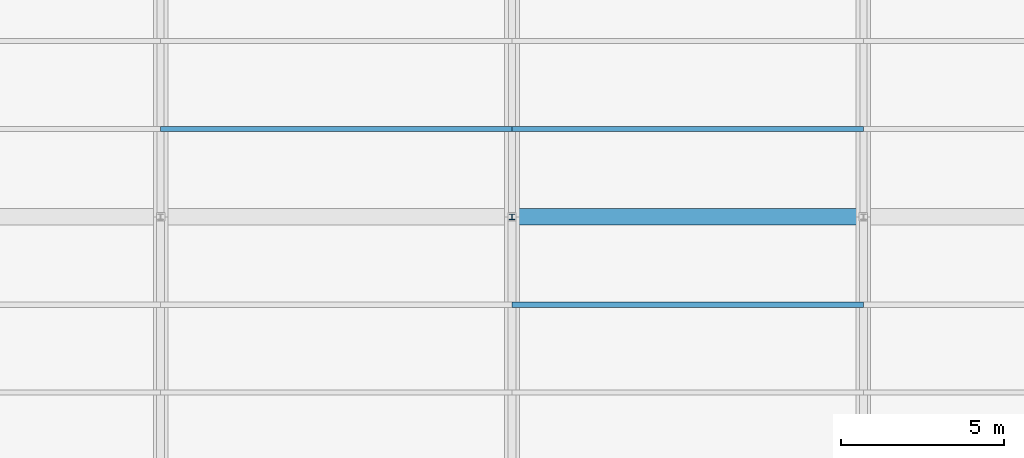
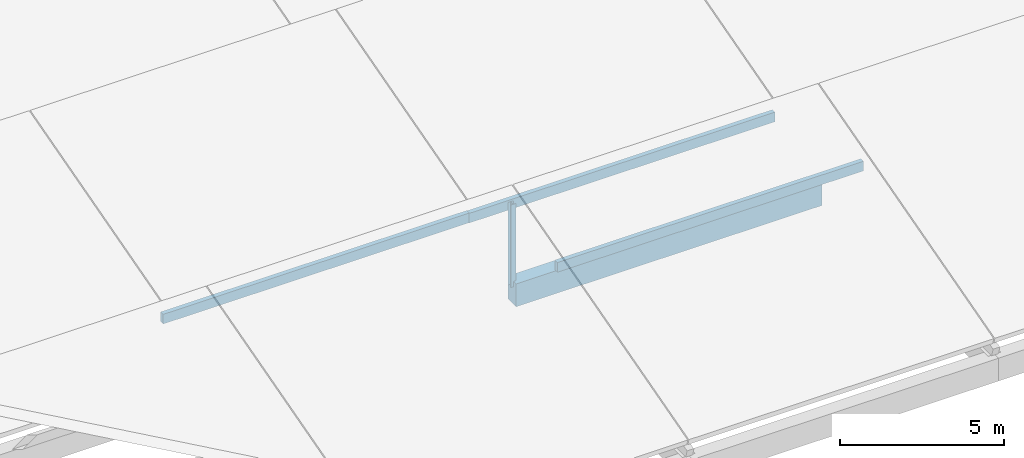
# One storey, part 3 of 112: 4 members, 1 beam.
"""IFC4 building model written with IfcOpenShell, lengths in metres."""

from ifc_helpers import new_model, si_unit, direction, frame, origin, origin_2d, place, context, subcontext, project, spatial, rectangle, i_section, extrude, material, material_profile, profile_set, type_object, element, save


model = new_model("IFC4")

# Units and contexts
model_context = context("Model", 3, precision=1e-05, world=origin(), true_north=direction((0.0, 1.0)))
body_context = subcontext(model_context, "Body", "Model", "MODEL_VIEW")
ifc_project = project(units=[si_unit("LENGTHUNIT", "METRE"), si_unit("AREAUNIT", "SQUARE_METRE"), si_unit("VOLUMEUNIT", "CUBIC_METRE"), si_unit("PLANEANGLEUNIT", "RADIAN"), si_unit("MASSUNIT", "GRAM", prefix="KILO")], contexts=[model_context])

# Site, building, storey
site_placement = place(None, origin())
site = spatial("IfcSite", under=ifc_project, at=site_placement, CompositionType="ELEMENT")
building_placement = place(site_placement, origin())
building = spatial("IfcBuilding", under=site, at=building_placement, Name="Zwinboog Wholesale Market", CompositionType="ELEMENT")
storey_placement = place(building_placement, frame((0.0, 0.0, 19.080078125)))
storey = spatial("IfcBuildingStorey", under=building, at=storey_placement, Name="Roof", CompositionType="ELEMENT", Elevation=19.080078125)

# Beam
ifc_material_1 = material(Name="Precast concrete C45/55", Category="concrete")
ifc_material_profile_1 = material_profile(ifc_material_1, rectangle(XDim=0.5, YDim=0.85009765625, at=origin_2d()), Name="PC 500x850")
ifc_profile_set_1 = profile_set([ifc_material_profile_1], Name="Precast concrete C45/55")
beam_type = type_object("IfcBeamType", Name="BT-03", PredefinedType="BEAM", material=ifc_profile_set_1)
beam_placement = place(storey_placement, frame((21.60009765625, 10.800048828125, -9.425048828125), z_axis=(1.0, 0.0, 0.0), x_axis=(0.0, 1.0, 0.0)))
element("IfcBeam", 1, at=beam_placement, inside=storey, type_object=beam_type, Name="BG-03 (BMG-Roof-0216-0108-1153)", PredefinedType="BEAM", context=body_context, shape_type="SweptSolid", body=[
    extrude(rectangle(XDim=0.5, YDim=0.85009765625, at=origin_2d()), origin(), (0.0, 0.0, 1.0), 10.7998046875),
])

# Members
ifc_material_2 = material(Name="Steel S355", Category="steel")
ifc_material_profile_2 = material_profile(ifc_material_2, i_section(OverallWidth=0.179931640625, OverallDepth=0.1708984375, WebThickness=0.006103515625, FlangeThickness=0.009521484375, FilletRadius=0.014892578125, at=origin_2d()), Name="HEA 180")
ifc_profile_set_2 = profile_set([ifc_material_profile_2], Name="Steel S355")
member_type_1 = type_object("IfcMemberType", Name="MT-07", PredefinedType="BRACE", material=ifc_profile_set_2)
member_1_placement = place(storey_placement, frame((21.60009765625, 10.800048828125, -9.2001953125), z_axis=(0.0, 0.0, 1.0), x_axis=(1.0, 0.0, 0.0)))
element("IfcMember", 2, at=member_1_placement, inside=storey, type_object=member_type_1, Name="DB-04 (MEM-Roof-0672)", PredefinedType="BRACE", context=body_context, shape_type="SweptSolid", body=[
    extrude(i_section(OverallWidth=0.179931640625, OverallDepth=0.1708984375, WebThickness=0.006103515625, FlangeThickness=0.009521484375, FilletRadius=0.014892578125, at=origin_2d()), origin(), (0.0, 0.0, 1.0), 3.074462890625),
])
ifc_material_3 = material(Name="Glulam GL28h", Category="wood")
ifc_material_profile_3 = material_profile(ifc_material_3, rectangle(XDim=0.159912109375, YDim=0.360107421875, at=origin_2d()), Name="GL28h 160x360")
ifc_profile_set_3 = profile_set([ifc_material_profile_3], Name="Glulam GL28h")
member_type_2 = type_object("IfcMemberType", Name="MT-12", PredefinedType="PURLIN", material=ifc_profile_set_3)
member_2_placement = place(storey_placement, frame((21.60009765625, 8.10009765625, -6.845703125), z_axis=(1.0, 0.0, 0.0), x_axis=(0.0, 1.0, 0.0)))
element("IfcMember", 3, at=member_2_placement, inside=storey, type_object=member_type_2, Name="GP-01 (MEM-Roof-0675)", PredefinedType="PURLIN", context=body_context, shape_type="SweptSolid", body=[
    extrude(rectangle(XDim=0.159912109375, YDim=0.360107421875, at=origin_2d()), origin(), (0.0, 0.0, 1.0), 10.7998046875),
])
member_3_placement = place(storey_placement, frame((10.800048828125, 13.5, -8.273193359375), z_axis=(1.0, 0.0, 0.0), x_axis=(0.0, 1.0, 0.0)))
element("IfcMember", 4, at=member_3_placement, inside=storey, type_object=member_type_2, Name="GP-01 (MEM-Roof-0690)", PredefinedType="PURLIN", context=body_context, shape_type="SweptSolid", body=[
    extrude(rectangle(XDim=0.159912109375, YDim=0.360107421875, at=origin_2d()), origin(), (0.0, 0.0, 1.0), 10.800048828125),
])
member_4_placement = place(storey_placement, frame((21.60009765625, 13.5, -8.285888671875), z_axis=(1.0, 0.0, 0.0), x_axis=(0.0, 1.0, 0.0)))
element("IfcMember", 5, at=member_4_placement, inside=storey, type_object=member_type_2, Name="GP-01 (MEM-Roof-0694)", PredefinedType="PURLIN", context=body_context, shape_type="SweptSolid", body=[
    extrude(rectangle(XDim=0.159912109375, YDim=0.360107421875, at=origin_2d()), origin(), (0.0, 0.0, 1.0), 10.7998046875),
])

save(model, "model.ifc")
